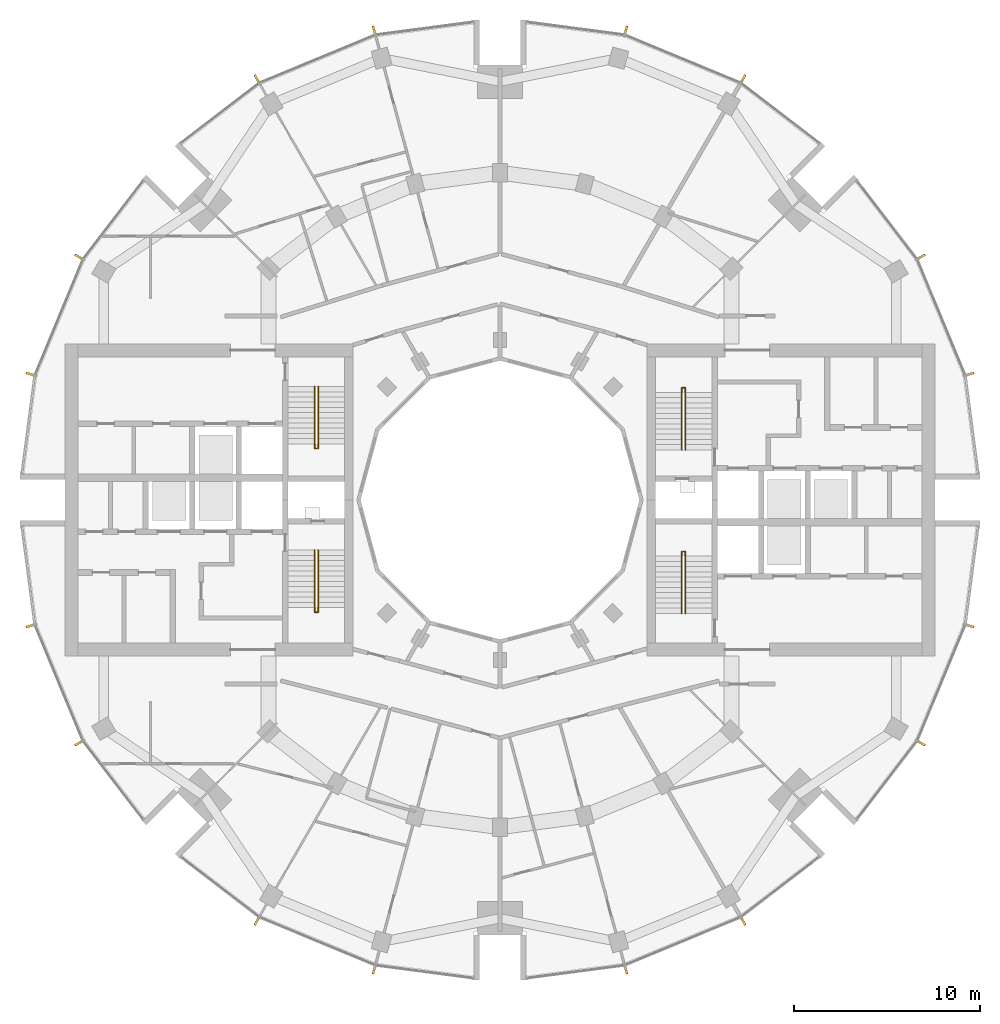
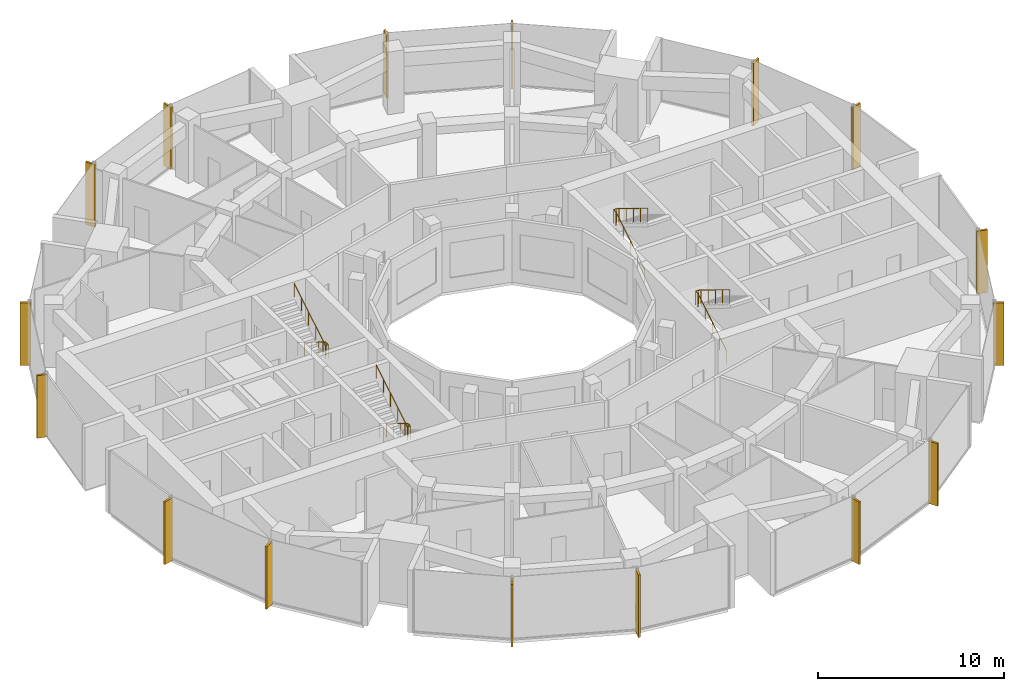
# One storey, part 14 of 15: 16 shading devices, 4 railings.
"""IFC4 building model written with IfcOpenShell, lengths in metres."""

from ifc_helpers import new_model, si_unit, direction, frame, origin, origin_2d, place, context, subcontext, project, spatial, rectangle, circle, extrude, material, material_profile, profile_set, type_object, element, save


model = new_model("IFC4")

# Units and contexts
model_context = context("Model", 3, precision=1e-05, world=origin(), true_north=direction((0.0, 1.0)))
body_context = subcontext(model_context, "Body", "Model", "MODEL_VIEW")
ifc_project = project(units=[si_unit("LENGTHUNIT", "METRE"), si_unit("AREAUNIT", "SQUARE_METRE"), si_unit("VOLUMEUNIT", "CUBIC_METRE"), si_unit("PLANEANGLEUNIT", "RADIAN"), si_unit("MASSUNIT", "GRAM", prefix="KILO")], contexts=[model_context])

# Site, building, storey
site_placement = place(None, origin())
site = spatial("IfcSite", under=ifc_project, at=site_placement, CompositionType="ELEMENT")
building_placement = place(site_placement, origin())
building = spatial("IfcBuilding", under=site, at=building_placement, Name="Torre Brocal", CompositionType="ELEMENT")
storey_placement = place(building_placement, frame((0.0, 0.0, 161.800048828125)))
storey = spatial("IfcBuildingStorey", under=building, at=storey_placement, Name="L37", CompositionType="ELEMENT", Elevation=161.800048828125)

# Shading devices
ifc_material_1 = material(Name="Aluminium, black anodised", Category="aluminium")
ifc_material_profile = material_profile(ifc_material_1, rectangle(XDim=0.1201171875, YDim=0.60009765625, at=origin_2d()), Name="FIN 120X600 4100 HIGH")
ifc_profile_set = profile_set([ifc_material_profile], Name="Aluminium, black anodised")
shading_device_type = type_object("IfcShadingDeviceType", Name="FIN 120X600 4100 HIGH", PredefinedType="USERDEFINED", material=ifc_profile_set)
for number, where, z_axis, x_axis, name in (
    (1, (105.208984375, 81.754638671875, -0.150146484375), (0.0, 0.0, 1.0), (-0.258819045103, 0.965925826289, 0.0), "FIN"),
    (2, (102.601806640625, 88.049072265625, -0.150146484375), (0.0, 0.0, 1.0), (-0.5, 0.866025403784, 0.0), "FIN"),
    (3, (93.049072265625, 97.601806640625, -0.150146484375), (0.0, 0.0, 1.0), (-0.866025403784, 0.5, 0.0), "FIN"),
    (4, (86.754638671875, 100.208984375, -0.150146484375), (0.0, 0.0, 1.0), (-0.965925826289, 0.258819045103, 0.0), "FIN"),
    (5, (73.245361328125, 100.208984375, -0.150146484375), (0.0, 0.0, 1.0), (-0.965925826289, -0.258819045103, 0.0), "FIN"),
    (6, (66.950927734375, 97.601806640625, -0.150146484375), (0.0, 0.0, 1.0), (-0.866025403784, -0.5, 0.0), "FIN"),
    (7, (57.398193359375, 88.049072265625, -0.150146484375), (0.0, 0.0, 1.0), (-0.5, -0.866025403784, 0.0), "FIN"),
    (8, (54.791015625, 81.754638671875, -0.150146484375), (0.0, 0.0, 1.0), (-0.258819045103, -0.965925826289, 0.0), "FIN"),
    (9, (54.791015625, 68.245361328125, -0.150146484375), (0.0, 0.0, 1.0), (0.258819045103, -0.965925826289, 0.0), "FIN"),
    (10, (57.398193359375, 61.950927734375, -0.150146484375), (0.0, 0.0, 1.0), (0.5, -0.866025403784, 0.0), "FIN"),
    (11, (66.950927734375, 52.398193359375, -0.150146484375), (0.0, 0.0, 1.0), (0.866025403784, -0.5, 0.0), "FIN"),
    (12, (73.245361328125, 49.791015625, -0.150146484375), (0.0, 0.0, 1.0), (0.965925826289, -0.258819045103, 0.0), "FIN"),
    (13, (86.754638671875, 49.791015625, -0.150146484375), (0.0, 0.0, 1.0), (0.965925826289, 0.258819045103, 0.0), "FIN"),
    (14, (93.049072265625, 52.398193359375, -0.150146484375), (0.0, 0.0, 1.0), (0.866025403784, 0.5, 0.0), "FIN"),
    (15, (102.601806640625, 61.950927734375, -0.150146484375), (0.0, 0.0, 1.0), (0.5, 0.866025403784, 0.0), "FIN"),
    (16, (105.208984375, 68.245361328125, -0.150146484375), (0.0, 0.0, 1.0), (0.258819045103, 0.965925826289, 0.0), "FIN"),
):
    element("IfcShadingDevice", number, at=place(storey_placement, frame(where, z_axis=z_axis, x_axis=x_axis)), inside=storey, type_object=shading_device_type, Name=name, ObjectType="FIN", PredefinedType="USERDEFINED", context=body_context, shape_type="SweptSolid", body=[
        extrude(rectangle(XDim=0.1201171875, YDim=0.60009765625, at=origin_2d()), origin(), (0.0, 0.0, 1.0), 4.10009765625),
    ])

# Railings
ifc_material_2 = material(Name="Stainless steel AISI 316", Category="steel")
railing_type = type_object("IfcRailingType", Name="STAIR HANDRAIL", PredefinedType="HANDRAIL", material=ifc_material_2)
railing_1_placement = place(storey_placement, frame((89.780029296875, 77.699951171875, 0.1708984375)))
element("IfcRailing", 17, at=railing_1_placement, inside=storey, type_object=railing_type, Name="HANDRAIL ST1", PredefinedType="HANDRAIL", context=body_context, shape_type="SweptSolid", body=[
    extrude(circle(Radius=0.02392578125, at=origin_2d()), frame((0.0, 0.0, 0.8759765625), z_axis=(0.0, 0.853666305674, 0.52082035152), x_axis=(-1.0, 0.0, 0.0)), (0.0, 0.0, 1.0), 3.608154296875),
    extrude(circle(Radius=0.02392578125, at=origin_2d()), frame((0.0, 3.080078125, 2.7548828125), z_axis=(0.0, 1.0, 0.0), x_axis=(-1.0, 0.0, 0.0)), (0.0, 0.0, 1.0), 0.25),
    extrude(circle(Radius=0.02392578125, at=origin_2d()), frame((0.0, 3.330078125, 2.7548828125), z_axis=(1.0, 0.0, 0.0), x_axis=(0.0, 1.0, 0.0)), (0.0, 0.0, 1.0), 0.18994140625),
    extrude(circle(Radius=0.02392578125, at=origin_2d()), frame((0.18994140625, 3.330078125, 2.7548828125), z_axis=(0.0, -0.825920066408, 0.563787232832), x_axis=(1.0, 0.0, 0.0)), (0.0, 0.0, 1.0), 0.302734375),
    extrude(circle(Radius=0.02392578125, at=origin_2d()), frame((0.18994140625, 3.080078125, 2.92578125), z_axis=(0.0, -0.853666305674, 0.52082035152), x_axis=(1.0, 0.0, 0.0)), (0.0, 0.0, 1.0), 3.608154296875),
    extrude(circle(Radius=0.02099609375, at=origin_2d()), origin(), (0.0, 0.0, 1.0), 0.851806640625),
    extrude(circle(Radius=0.02099609375, at=origin_2d()), frame((0.0, 0.77001953125, 0.4697265625)), (0.0, 0.0, 1.0), 0.851806640625),
    extrude(circle(Radius=0.02099609375, at=origin_2d()), frame((0.0, 1.5400390625, 0.939453125)), (0.0, 0.0, 1.0), 0.851806640625),
    extrude(circle(Radius=0.02099609375, at=origin_2d()), frame((0.0, 2.31005859375, 1.409423828125)), (0.0, 0.0, 1.0), 0.851806640625),
    extrude(circle(Radius=0.02099609375, at=origin_2d()), frame((0.0, 3.080078125, 1.879150390625)), (0.0, 0.0, 1.0), 0.851806640625),
    extrude(circle(Radius=0.02099609375, at=origin_2d()), frame((0.0, 3.330078125, 1.879150390625)), (0.0, 0.0, 1.0), 0.851806640625),
    extrude(circle(Radius=0.02099609375, at=origin_2d()), frame((0.18994140625, 3.330078125, 1.879150390625)), (0.0, 0.0, 1.0), 0.851806640625),
    extrude(circle(Radius=0.02099609375, at=origin_2d()), frame((0.18994140625, 3.080078125, 2.0498046875)), (0.0, 0.0, 1.0), 0.851806640625),
    extrude(circle(Radius=0.02099609375, at=origin_2d()), frame((0.18994140625, 2.31005859375, 2.51953125)), (0.0, 0.0, 1.0), 0.851806640625),
    extrude(circle(Radius=0.02099609375, at=origin_2d()), frame((0.18994140625, 1.5400390625, 2.9892578125)), (0.0, 0.0, 1.0), 0.851806640625),
    extrude(circle(Radius=0.02099609375, at=origin_2d()), frame((0.18994140625, 0.77001953125, 3.459228515625)), (0.0, 0.0, 1.0), 0.851806640625),
    extrude(circle(Radius=0.02099609375, at=origin_2d()), frame((0.18994140625, 0.0, 3.928955078125)), (0.0, 0.0, 1.0), 0.851806640625),
])
railing_2_placement = place(storey_placement, frame((89.780029296875, 68.89990234375, 0.1708984375)))
element("IfcRailing", 18, at=railing_2_placement, inside=storey, type_object=railing_type, Name="HANDRAIL ST2", PredefinedType="HANDRAIL", context=body_context, shape_type="SweptSolid", body=[
    extrude(circle(Radius=0.02392578125, at=origin_2d()), frame((0.0, 0.0, 0.8759765625), z_axis=(0.0, 0.853666305674, 0.52082035152), x_axis=(-1.0, 0.0, 0.0)), (0.0, 0.0, 1.0), 3.608154296875),
    extrude(circle(Radius=0.02392578125, at=origin_2d()), frame((0.0, 3.080078125, 2.7548828125), z_axis=(0.0, 1.0, 0.0), x_axis=(-1.0, 0.0, 0.0)), (0.0, 0.0, 1.0), 0.25),
    extrude(circle(Radius=0.02392578125, at=origin_2d()), frame((0.0, 3.330078125, 2.7548828125), z_axis=(1.0, 0.0, 0.0), x_axis=(0.0, 1.0, 0.0)), (0.0, 0.0, 1.0), 0.18994140625),
    extrude(circle(Radius=0.02392578125, at=origin_2d()), frame((0.18994140625, 3.330078125, 2.7548828125), z_axis=(0.0, -0.825920066408, 0.563787232832), x_axis=(1.0, 0.0, 0.0)), (0.0, 0.0, 1.0), 0.302734375),
    extrude(circle(Radius=0.02392578125, at=origin_2d()), frame((0.18994140625, 3.080078125, 2.92578125), z_axis=(0.0, -0.853666305674, 0.52082035152), x_axis=(1.0, 0.0, 0.0)), (0.0, 0.0, 1.0), 3.608154296875),
    extrude(circle(Radius=0.02099609375, at=origin_2d()), origin(), (0.0, 0.0, 1.0), 0.851806640625),
    extrude(circle(Radius=0.02099609375, at=origin_2d()), frame((0.0, 0.77001953125, 0.4697265625)), (0.0, 0.0, 1.0), 0.851806640625),
    extrude(circle(Radius=0.02099609375, at=origin_2d()), frame((0.0, 1.5400390625, 0.939453125)), (0.0, 0.0, 1.0), 0.851806640625),
    extrude(circle(Radius=0.02099609375, at=origin_2d()), frame((0.0, 2.31005859375, 1.409423828125)), (0.0, 0.0, 1.0), 0.851806640625),
    extrude(circle(Radius=0.02099609375, at=origin_2d()), frame((0.0, 3.080078125, 1.879150390625)), (0.0, 0.0, 1.0), 0.851806640625),
    extrude(circle(Radius=0.02099609375, at=origin_2d()), frame((0.0, 3.330078125, 1.879150390625)), (0.0, 0.0, 1.0), 0.851806640625),
    extrude(circle(Radius=0.02099609375, at=origin_2d()), frame((0.18994140625, 3.330078125, 1.879150390625)), (0.0, 0.0, 1.0), 0.851806640625),
    extrude(circle(Radius=0.02099609375, at=origin_2d()), frame((0.18994140625, 3.080078125, 2.0498046875)), (0.0, 0.0, 1.0), 0.851806640625),
    extrude(circle(Radius=0.02099609375, at=origin_2d()), frame((0.18994140625, 2.31005859375, 2.51953125)), (0.0, 0.0, 1.0), 0.851806640625),
    extrude(circle(Radius=0.02099609375, at=origin_2d()), frame((0.18994140625, 1.5400390625, 2.9892578125)), (0.0, 0.0, 1.0), 0.851806640625),
    extrude(circle(Radius=0.02099609375, at=origin_2d()), frame((0.18994140625, 0.77001953125, 3.459228515625)), (0.0, 0.0, 1.0), 0.851806640625),
    extrude(circle(Radius=0.02099609375, at=origin_2d()), frame((0.18994140625, 0.0, 3.928955078125)), (0.0, 0.0, 1.0), 0.851806640625),
])
railing_3_placement = place(storey_placement, frame((70.219970703125, 72.300048828125, 0.1708984375)))
element("IfcRailing", 19, at=railing_3_placement, inside=storey, type_object=railing_type, Name="HANDRAIL ST3", PredefinedType="HANDRAIL", context=body_context, shape_type="SweptSolid", body=[
    extrude(circle(Radius=0.02392578125, at=origin_2d()), frame((0.0, 0.0, 0.8759765625), z_axis=(0.0, -0.853666305674, 0.52082035152), x_axis=(1.0, 0.0, 0.0)), (0.0, 0.0, 1.0), 3.608154296875),
    extrude(circle(Radius=0.02392578125, at=origin_2d()), frame((0.0, -3.080078125, 2.7548828125), z_axis=(0.0, -1.0, 0.0), x_axis=(1.0, 0.0, 0.0)), (0.0, 0.0, 1.0), 0.25),
    extrude(circle(Radius=0.02392578125, at=origin_2d()), frame((0.0, -3.330078125, 2.7548828125), z_axis=(-1.0, 0.0, 0.0), x_axis=(0.0, -1.0, 0.0)), (0.0, 0.0, 1.0), 0.18994140625),
    extrude(circle(Radius=0.02392578125, at=origin_2d()), frame((-0.18994140625, -3.330078125, 2.7548828125), z_axis=(0.0, 0.825920066408, 0.563787232832), x_axis=(-1.0, 0.0, 0.0)), (0.0, 0.0, 1.0), 0.302734375),
    extrude(circle(Radius=0.02392578125, at=origin_2d()), frame((-0.18994140625, -3.080078125, 2.92578125), z_axis=(0.0, 0.853666305674, 0.52082035152), x_axis=(-1.0, 0.0, 0.0)), (0.0, 0.0, 1.0), 3.608154296875),
    extrude(circle(Radius=0.02099609375, at=origin_2d()), origin(), (0.0, 0.0, 1.0), 0.851806640625),
    extrude(circle(Radius=0.02099609375, at=origin_2d()), frame((0.0, -0.77001953125, 0.4697265625)), (0.0, 0.0, 1.0), 0.851806640625),
    extrude(circle(Radius=0.02099609375, at=origin_2d()), frame((0.0, -1.5400390625, 0.939453125)), (0.0, 0.0, 1.0), 0.851806640625),
    extrude(circle(Radius=0.02099609375, at=origin_2d()), frame((0.0, -2.31005859375, 1.409423828125)), (0.0, 0.0, 1.0), 0.851806640625),
    extrude(circle(Radius=0.02099609375, at=origin_2d()), frame((0.0, -3.080078125, 1.879150390625)), (0.0, 0.0, 1.0), 0.851806640625),
    extrude(circle(Radius=0.02099609375, at=origin_2d()), frame((0.0, -3.330078125, 1.879150390625)), (0.0, 0.0, 1.0), 0.851806640625),
    extrude(circle(Radius=0.02099609375, at=origin_2d()), frame((-0.18994140625, -3.330078125, 1.879150390625)), (0.0, 0.0, 1.0), 0.851806640625),
    extrude(circle(Radius=0.02099609375, at=origin_2d()), frame((-0.18994140625, -3.080078125, 2.0498046875)), (0.0, 0.0, 1.0), 0.851806640625),
    extrude(circle(Radius=0.02099609375, at=origin_2d()), frame((-0.18994140625, -2.31005859375, 2.51953125)), (0.0, 0.0, 1.0), 0.851806640625),
    extrude(circle(Radius=0.02099609375, at=origin_2d()), frame((-0.18994140625, -1.5400390625, 2.9892578125)), (0.0, 0.0, 1.0), 0.851806640625),
    extrude(circle(Radius=0.02099609375, at=origin_2d()), frame((-0.18994140625, -0.77001953125, 3.459228515625)), (0.0, 0.0, 1.0), 0.851806640625),
    extrude(circle(Radius=0.02099609375, at=origin_2d()), frame((-0.18994140625, 0.0, 3.928955078125)), (0.0, 0.0, 1.0), 0.851806640625),
])
railing_4_placement = place(storey_placement, frame((70.219970703125, 81.10009765625, 0.1708984375)))
element("IfcRailing", 20, at=railing_4_placement, inside=storey, type_object=railing_type, Name="HANDRAIL ST4", PredefinedType="HANDRAIL", context=body_context, shape_type="SweptSolid", body=[
    extrude(circle(Radius=0.02392578125, at=origin_2d()), frame((0.0, 0.0, 0.8759765625), z_axis=(0.0, -0.853666305674, 0.52082035152), x_axis=(1.0, 0.0, 0.0)), (0.0, 0.0, 1.0), 3.608154296875),
    extrude(circle(Radius=0.02392578125, at=origin_2d()), frame((0.0, -3.080078125, 2.7548828125), z_axis=(0.0, -1.0, 0.0), x_axis=(1.0, 0.0, 0.0)), (0.0, 0.0, 1.0), 0.25),
    extrude(circle(Radius=0.02392578125, at=origin_2d()), frame((0.0, -3.330078125, 2.7548828125), z_axis=(-1.0, 0.0, 0.0), x_axis=(0.0, -1.0, 0.0)), (0.0, 0.0, 1.0), 0.18994140625),
    extrude(circle(Radius=0.02392578125, at=origin_2d()), frame((-0.18994140625, -3.330078125, 2.7548828125), z_axis=(0.0, 0.825920066408, 0.563787232832), x_axis=(-1.0, 0.0, 0.0)), (0.0, 0.0, 1.0), 0.302734375),
    extrude(circle(Radius=0.02392578125, at=origin_2d()), frame((-0.18994140625, -3.080078125, 2.92578125), z_axis=(0.0, 0.853666305674, 0.52082035152), x_axis=(-1.0, 0.0, 0.0)), (0.0, 0.0, 1.0), 3.608154296875),
    extrude(circle(Radius=0.02099609375, at=origin_2d()), origin(), (0.0, 0.0, 1.0), 0.851806640625),
    extrude(circle(Radius=0.02099609375, at=origin_2d()), frame((0.0, -0.77001953125, 0.4697265625)), (0.0, 0.0, 1.0), 0.851806640625),
    extrude(circle(Radius=0.02099609375, at=origin_2d()), frame((0.0, -1.5400390625, 0.939453125)), (0.0, 0.0, 1.0), 0.851806640625),
    extrude(circle(Radius=0.02099609375, at=origin_2d()), frame((0.0, -2.31005859375, 1.409423828125)), (0.0, 0.0, 1.0), 0.851806640625),
    extrude(circle(Radius=0.02099609375, at=origin_2d()), frame((0.0, -3.080078125, 1.879150390625)), (0.0, 0.0, 1.0), 0.851806640625),
    extrude(circle(Radius=0.02099609375, at=origin_2d()), frame((0.0, -3.330078125, 1.879150390625)), (0.0, 0.0, 1.0), 0.851806640625),
    extrude(circle(Radius=0.02099609375, at=origin_2d()), frame((-0.18994140625, -3.330078125, 1.879150390625)), (0.0, 0.0, 1.0), 0.851806640625),
    extrude(circle(Radius=0.02099609375, at=origin_2d()), frame((-0.18994140625, -3.080078125, 2.0498046875)), (0.0, 0.0, 1.0), 0.851806640625),
    extrude(circle(Radius=0.02099609375, at=origin_2d()), frame((-0.18994140625, -2.31005859375, 2.51953125)), (0.0, 0.0, 1.0), 0.851806640625),
    extrude(circle(Radius=0.02099609375, at=origin_2d()), frame((-0.18994140625, -1.5400390625, 2.9892578125)), (0.0, 0.0, 1.0), 0.851806640625),
    extrude(circle(Radius=0.02099609375, at=origin_2d()), frame((-0.18994140625, -0.77001953125, 3.459228515625)), (0.0, 0.0, 1.0), 0.851806640625),
    extrude(circle(Radius=0.02099609375, at=origin_2d()), frame((-0.18994140625, 0.0, 3.928955078125)), (0.0, 0.0, 1.0), 0.851806640625),
])

save(model, "model.ifc")
